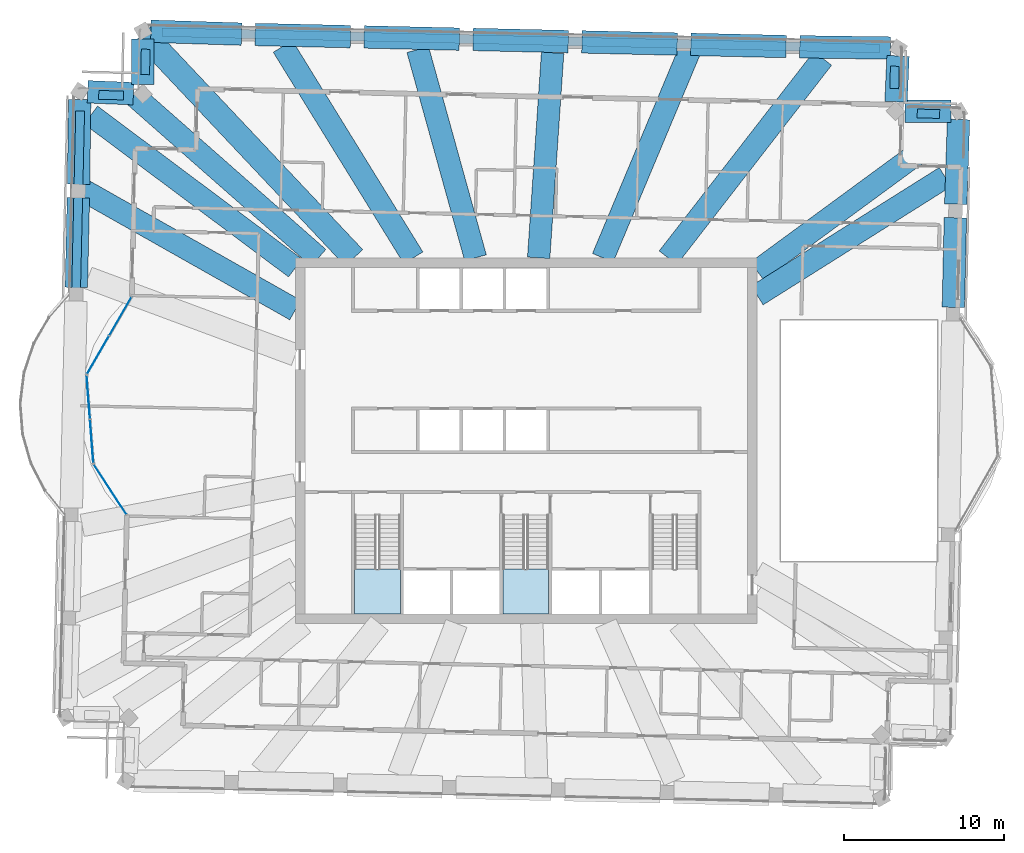
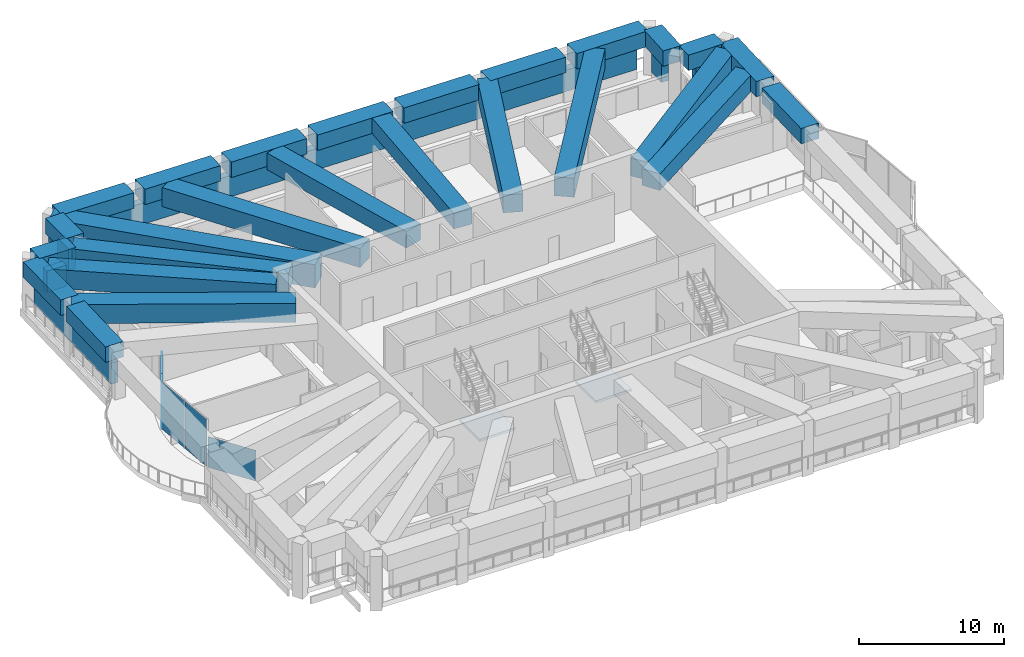
# One storey, part 5 of 17: 26 beams, 6 members, 5 plates, 2 slabs, 5 elements without a shape of their own.
"""IFC4 building model written with IfcOpenShell, lengths in metres."""

from ifc_helpers import new_model, si_unit, direction, frame, origin, origin_2d, place, context, subcontext, project, spatial, polyline, rectangle, outline, extrude, material, layer, layer_set, material_profile, profile_set, type_object, element, aggregate, save


model = new_model("IFC4")

# Units and contexts
model_context = context("Model", 3, precision=1e-05, world=origin(), true_north=direction((0.0, 1.0)))
body_context = subcontext(model_context, "Body", "Model", "MODEL_VIEW")
ifc_project = project(units=[si_unit("LENGTHUNIT", "METRE"), si_unit("AREAUNIT", "SQUARE_METRE"), si_unit("VOLUMEUNIT", "CUBIC_METRE"), si_unit("PLANEANGLEUNIT", "RADIAN"), si_unit("MASSUNIT", "GRAM", prefix="KILO")], contexts=[model_context])

# Site, building, storey
site_placement = place(None, origin())
site = spatial("IfcSite", under=ifc_project, at=site_placement, CompositionType="ELEMENT")
building_placement = place(site_placement, origin())
building = spatial("IfcBuilding", under=site, at=building_placement, Name="Mangrove Gate Tower", CompositionType="ELEMENT")
storey_placement = place(building_placement, frame((0.0, 0.0, 337.89990234375)))
storey = spatial("IfcBuildingStorey", under=building, at=storey_placement, Name="L86", CompositionType="ELEMENT", Elevation=337.89990234375)

# Members
ifc_material_1 = material(Name="Planting on aluminium trellis", Category="aluminium")
ifc_material_profile_1 = material_profile(ifc_material_1, rectangle(XDim=0.550048828125, YDim=1.800048828125, at=origin_2d()))
ifc_profile_set_1 = profile_set([ifc_material_profile_1], Name="Planting on aluminium trellis")
member_type = type_object("IfcMemberType", Name="Roof greenery screen 550x1800", PredefinedType="USERDEFINED", material=ifc_profile_set_1)
member_1_placement = place(storey_placement, frame((24.382080078125, 20.39990234375, 1.7001953125), z_axis=(0.999754810245, -0.022143156767, 0.0), x_axis=(0.022143156767, 0.999754810245, 0.0)))
element("IfcMember", 1, at=member_1_placement, inside=storey, type_object=member_type, Name="GREEN SCREEN L86 T1.1.6", ObjectType="PLANTING", PredefinedType="USERDEFINED", context=body_context, shape_type="SweptSolid", body=[
    extrude(rectangle(XDim=0.550048828125, YDim=1.800048828125, at=origin_2d()), origin(), (0.0, 0.0, 1.0), 1.400146484375),
])
member_2_placement = place(storey_placement, frame((-28.06396484375, 9.489990234375, 1.7001953125), z_axis=(0.022688316911, 0.999742587007, 0.0), x_axis=(-0.999742587007, 0.022688316911, 0.0)))
element("IfcMember", 2, at=member_2_placement, inside=storey, type_object=member_type, Name="GREEN SCREEN L86 T3.1.25", ObjectType="PLANTING", PredefinedType="USERDEFINED", context=body_context, shape_type="SweptSolid", body=[
    extrude(rectangle(XDim=0.550048828125, YDim=1.800048828125, at=origin_2d()), origin(), (0.0, 0.0, 1.0), 11.06201171875),
])
member_3_placement = place(storey_placement, frame((-26.655029296875, 21.55810546875, 1.7001953125), z_axis=(0.999738546053, -0.022865684662, 0.0), x_axis=(0.022865684662, 0.999738546053, 0.0)))
element("IfcMember", 3, at=member_3_placement, inside=storey, type_object=member_type, Name="GREEN SCREEN L86 T3.2.6", ObjectType="PLANTING", PredefinedType="USERDEFINED", context=body_context, shape_type="SweptSolid", body=[
    extrude(rectangle(XDim=0.550048828125, YDim=1.800048828125, at=origin_2d()), origin(), (0.0, 0.0, 1.0), 1.53759765625),
])
member_4_placement = place(storey_placement, frame((-23.760986328125, 22.821044921875, 1.7001953125), z_axis=(0.02260960345, 0.999744370243, 0.0), x_axis=(-0.999744370243, 0.02260960345, 0.0)))
element("IfcMember", 4, at=member_4_placement, inside=storey, type_object=member_type, Name="GREEN SCREEN L86 T3.2.9", ObjectType="PLANTING", PredefinedType="USERDEFINED", context=body_context, shape_type="SweptSolid", body=[
    extrude(rectangle(XDim=0.550048828125, YDim=1.800048828125, at=origin_2d()), origin(), (0.0, 0.0, 1.0), 1.58740234375),
])
member_5_placement = place(storey_placement, frame((-22.715087890625, 25.470947265625, 1.7001953125), z_axis=(0.999741798928, -0.022723016434, 0.0), x_axis=(0.022723016434, 0.999741798928, 0.0)))
element("IfcMember", 5, at=member_5_placement, inside=storey, type_object=member_type, Name="GREEN SCREEN L86 T3.3.6", ObjectType="PLANTING", PredefinedType="USERDEFINED", context=body_context, shape_type="SweptSolid", body=[
    extrude(rectangle(XDim=0.550048828125, YDim=1.800048828125, at=origin_2d()), origin(), (0.0, 0.0, 1.0), 44.74951171875),
])
member_6_placement = place(storey_placement, frame((22.98291015625, 23.347900390625, 1.7001953125), z_axis=(-0.022143156767, -0.999754810245, 0.0), x_axis=(0.999754810245, -0.022143156767, 0.0)))
element("IfcMember", 6, at=member_6_placement, inside=storey, type_object=member_type, Name="GREEN SCREEN L86 T3.4.6", ObjectType="PLANTING", PredefinedType="USERDEFINED", context=body_context, shape_type="SweptSolid", body=[
    extrude(rectangle(XDim=0.550048828125, YDim=1.800048828125, at=origin_2d()), origin(), (0.0, 0.0, 1.0), 1.400146484375),
])

# Beams
ifc_material_2 = material(Name="Concrete C50/60", Category="concrete")
ifc_material_profile_2 = material_profile(ifc_material_2, rectangle(XDim=1.39990234375, YDim=1.300048828125, at=origin_2d()))
ifc_profile_set_2 = profile_set([ifc_material_profile_2], Name="Concrete C50/60")
beam_type_1 = type_object("IfcBeamType", Name="Transfer girder RC 1400x1300 C50/60", PredefinedType="BEAM", material=ifc_profile_set_2)
beam_1_placement = place(storey_placement, frame((26.6337890625, 8.3115234375, 3.400146484375), z_axis=(0.022676742229, 0.999742849618, 0.0), x_axis=(-0.999742849618, 0.022676742229, 0.0)))
element("IfcBeam", 7, at=beam_1_placement, inside=storey, type_object=beam_type_1, Name="Transfer ring girder L86 16", PredefinedType="BEAM", context=body_context, shape_type="SweptSolid", body=[
    extrude(rectangle(XDim=1.39990234375, YDim=1.300048828125, at=origin_2d()), origin(), (0.0, 0.0, 1.0), 5.587646484375),
])
beam_2_placement = place(storey_placement, frame((26.7841796875, 14.747314453125, 3.400146484375), z_axis=(0.032988692106, 0.999455724979, 0.0), x_axis=(-0.999455724979, 0.032988692106, 0.0)))
element("IfcBeam", 8, at=beam_2_placement, inside=storey, type_object=beam_type_1, Name="Transfer ring girder L86 17", PredefinedType="BEAM", context=body_context, shape_type="SweptSolid", body=[
    extrude(rectangle(XDim=1.39990234375, YDim=1.300048828125, at=origin_2d()), origin(), (0.0, 0.0, 1.0), 5.2841796875),
])
beam_3_placement = place(storey_placement, frame((26.48046875, 20.53369140625, 3.400146484375), z_axis=(-0.999994153944, 0.00341936794, 0.0), x_axis=(-0.00341936794, -0.999994153944, 0.0)))
element("IfcBeam", 9, at=beam_3_placement, inside=storey, type_object=beam_type_1, Name="Transfer ring girder L86 18", PredefinedType="BEAM", context=body_context, shape_type="SweptSolid", body=[
    extrude(rectangle(XDim=1.39990234375, YDim=1.300048828125, at=origin_2d()), origin(), (0.0, 0.0, 1.0), 2.85595703125),
])
beam_4_placement = place(storey_placement, frame((23.060791015625, 21.13330078125, 3.400146484375), z_axis=(0.044307836556, 0.999017925575, 0.0), x_axis=(-0.999017925575, 0.044307836556, 0.0)))
element("IfcBeam", 10, at=beam_4_placement, inside=storey, type_object=beam_type_1, Name="Transfer ring girder L86 19", PredefinedType="BEAM", context=body_context, shape_type="SweptSolid", body=[
    extrude(rectangle(XDim=1.39990234375, YDim=1.300048828125, at=origin_2d()), origin(), (0.0, 0.0, 1.0), 2.85986328125),
])
beam_5_placement = place(storey_placement, frame((22.71337890625, 24.483642578125, 3.400146484375), z_axis=(-0.999905838505, 0.013722759339, 0.0), x_axis=(-0.013722759339, -0.999905838505, 0.0)))
element("IfcBeam", 11, at=beam_5_placement, inside=storey, type_object=beam_type_1, Name="Transfer ring girder L86 20", PredefinedType="BEAM", context=body_context, shape_type="SweptSolid", body=[
    extrude(rectangle(XDim=1.39990234375, YDim=1.300048828125, at=origin_2d()), origin(), (0.0, 0.0, 1.0), 5.657470703125),
])
beam_6_placement = place(storey_placement, frame((16.20654296875, 24.57666015625, 3.400146484375), z_axis=(-0.999742852548, 0.022676613026, 0.0), x_axis=(-0.022676613026, -0.999742852548, 0.0)))
element("IfcBeam", 12, at=beam_6_placement, inside=storey, type_object=beam_type_1, Name="Transfer ring girder L86 21", PredefinedType="BEAM", context=body_context, shape_type="SweptSolid", body=[
    extrude(rectangle(XDim=1.39990234375, YDim=1.300048828125, at=origin_2d()), origin(), (0.0, 0.0, 1.0), 5.94287109375),
])
beam_7_placement = place(storey_placement, frame((9.41552734375, 24.730712890625, 3.400146484375), z_axis=(-0.999742831422, 0.022677544399, 0.0), x_axis=(-0.022677544399, -0.999742831422, 0.0)))
element("IfcBeam", 13, at=beam_7_placement, inside=storey, type_object=beam_type_1, Name="Transfer ring girder L86 22", PredefinedType="BEAM", context=body_context, shape_type="SweptSolid", body=[
    extrude(rectangle(XDim=1.39990234375, YDim=1.300048828125, at=origin_2d()), origin(), (0.0, 0.0, 1.0), 5.942626953125),
])
beam_8_placement = place(storey_placement, frame((2.62451171875, 24.884765625, 3.400146484375), z_axis=(-0.999742852548, 0.022676613026, 0.0), x_axis=(-0.022676613026, -0.999742852548, 0.0)))
element("IfcBeam", 14, at=beam_8_placement, inside=storey, type_object=beam_type_1, Name="Transfer ring girder L86 23", PredefinedType="BEAM", context=body_context, shape_type="SweptSolid", body=[
    extrude(rectangle(XDim=1.39990234375, YDim=1.300048828125, at=origin_2d()), origin(), (0.0, 0.0, 1.0), 5.94287109375),
])
for number, where, z_axis, x_axis, name in (
    (15, (-4.16650390625, 25.038818359375, 3.400146484375), (-0.999740029609, 0.022800728023, 0.0), (-0.022800728023, -0.999740029609, 0.0), "Transfer ring girder L86 24"),
    (16, (-10.95751953125, 25.19384765625, 3.400146484375), (-0.999743761991, 0.022636482961, 0.0), (-0.022636482961, -0.999743761991, 0.0), "Transfer ring girder L86 25"),
):
    element("IfcBeam", number, at=place(storey_placement, frame(where, z_axis=z_axis, x_axis=x_axis)), inside=storey, type_object=beam_type_1, Name=name, PredefinedType="BEAM", context=body_context, shape_type="SweptSolid", body=[
        extrude(rectangle(XDim=1.39990234375, YDim=1.300048828125, at=origin_2d()), origin(), (0.0, 0.0, 1.0), 5.942626953125),
    ])
beam_9_placement = place(storey_placement, frame((-17.74853515625, 25.3515625, 3.400146484375), z_axis=(-0.999500768178, 0.031594531343, 0.0), x_axis=(-0.031594531343, -0.999500768178, 0.0)))
element("IfcBeam", 17, at=beam_9_placement, inside=storey, type_object=beam_type_1, Name="Transfer ring girder L86 26", PredefinedType="BEAM", context=body_context, shape_type="SweptSolid", body=[
    extrude(rectangle(XDim=1.39990234375, YDim=1.300048828125, at=origin_2d()), origin(), (0.0, 0.0, 1.0), 5.656494140625),
])
beam_10_placement = place(storey_placement, frame((-23.898193359375, 25.058837890625, 3.400146484375), z_axis=(-0.001195252284, -0.999999285686, 0.0), x_axis=(0.999999285686, -0.001195252284, 0.0)))
element("IfcBeam", 18, at=beam_10_placement, inside=storey, type_object=beam_type_1, Name="Transfer ring girder L86 27", PredefinedType="BEAM", context=body_context, shape_type="SweptSolid", body=[
    extrude(rectangle(XDim=1.39990234375, YDim=1.300048828125, at=origin_2d()), origin(), (0.0, 0.0, 1.0), 2.859619140625),
])
beam_11_placement = place(storey_placement, frame((-24.49169921875, 21.635498046875, 3.400146484375), z_axis=(-0.999111608486, 0.042142541323, 0.0), x_axis=(-0.042142541323, -0.999111608486, 0.0)))
element("IfcBeam", 19, at=beam_11_placement, inside=storey, type_object=beam_type_1, Name="Transfer ring girder L86 28", PredefinedType="BEAM", context=body_context, shape_type="SweptSolid", body=[
    extrude(rectangle(XDim=1.39990234375, YDim=1.300048828125, at=origin_2d()), origin(), (0.0, 0.0, 1.0), 2.85595703125),
])
beam_12_placement = place(storey_placement, frame((-27.845458984375, 21.27294921875, 3.400146484375), z_axis=(-0.01238009154, -0.99992336373, 0.0), x_axis=(0.99992336373, -0.01238009154, 0.0)))
element("IfcBeam", 20, at=beam_12_placement, inside=storey, type_object=beam_type_1, Name="Transfer ring girder L86 29", PredefinedType="BEAM", context=body_context, shape_type="SweptSolid", body=[
    extrude(rectangle(XDim=1.39990234375, YDim=1.300048828125, at=origin_2d()), origin(), (0.0, 0.0, 1.0), 5.28515625),
])
beam_13_placement = place(storey_placement, frame((-27.92578125, 15.138427734375, 3.400146484375), z_axis=(-0.022676742229, -0.999742849618, 0.0), x_axis=(0.999742849618, -0.022676742229, 0.0)))
element("IfcBeam", 21, at=beam_13_placement, inside=storey, type_object=beam_type_1, Name="Transfer ring girder L86 30", PredefinedType="BEAM", context=body_context, shape_type="SweptSolid", body=[
    extrude(rectangle(XDim=1.39990234375, YDim=1.300048828125, at=origin_2d()), origin(), (0.0, 0.0, 1.0), 5.587646484375),
])
beam_14_placement = place(storey_placement, frame((0.77685546875, 11.39990234375, 3.400146484375), z_axis=(0.068000619453, 0.99768527891, 0.0), x_axis=(-0.99768527891, 0.068000619453, 0.0)))
element("IfcBeam", 22, at=beam_14_placement, inside=storey, type_object=beam_type_1, Name="Transfer girder L86 22", PredefinedType="BEAM", context=body_context, shape_type="SweptSolid", body=[
    extrude(rectangle(XDim=1.39990234375, YDim=1.300048828125, at=origin_2d()), origin(), (0.0, 0.0, 1.0), 12.8173828125),
])
ifc_material_3 = material(Name="Concrete C50/60", Category="concrete")
ifc_material_profile_3 = material_profile(ifc_material_3, rectangle(XDim=1.39990234375, YDim=1.39990234375, at=origin_2d()))
ifc_profile_set_3 = profile_set([ifc_material_profile_3], Name="Concrete C50/60")
beam_type_2 = type_object("IfcBeamType", Name="Transfer girder RC 1400x1400 C50/60", PredefinedType="BEAM", material=ifc_profile_set_3)
beam_15_placement = place(storey_placement, frame((14.39990234375, 9.060546875, 3.35009765625), z_axis=(0.846401698395, 0.532544988667, 0.0), x_axis=(-0.532544988667, 0.846401698395, 0.0)))
element("IfcBeam", 23, at=beam_15_placement, inside=storey, type_object=beam_type_2, Name="Transfer girder L86 17", PredefinedType="BEAM", context=body_context, shape_type="SweptSolid", body=[
    extrude(rectangle(XDim=1.39990234375, YDim=1.39990234375, at=origin_2d()), origin(), (0.0, 0.0, 1.0), 13.85546875),
])
beam_16_placement = place(storey_placement, frame((-3.1611328125, 11.39990234375, 3.35009765625), z_axis=(-0.267203858483, 0.963640025119, 0.0), x_axis=(-0.963640025119, -0.267203858483, 0.0)))
element("IfcBeam", 24, at=beam_16_placement, inside=storey, type_object=beam_type_2, Name="Transfer girder L86 23", PredefinedType="BEAM", context=body_context, shape_type="SweptSolid", body=[
    extrude(rectangle(XDim=1.39990234375, YDim=1.39990234375, at=origin_2d()), origin(), (0.0, 0.0, 1.0), 13.479736328125),
])
ifc_material_4 = material(Name="Concrete C50/60", Category="concrete")
ifc_material_profile_4 = material_profile(ifc_material_4, rectangle(XDim=1.39990234375, YDim=1.5, at=origin_2d()))
ifc_profile_set_4 = profile_set([ifc_material_profile_4], Name="Concrete C50/60")
beam_type_3 = type_object("IfcBeamType", Name="Transfer girder RC 1400x1500 C50/60", PredefinedType="BEAM", material=ifc_profile_set_4)
beam_17_placement = place(storey_placement, frame((14.39990234375, 10.56982421875, 3.300048828125), z_axis=(0.806142993198, 0.591720774113, 0.0), x_axis=(-0.591720774113, 0.806142993198, 0.0)))
element("IfcBeam", 25, at=beam_17_placement, inside=storey, type_object=beam_type_3, Name="Transfer girder L86 18", PredefinedType="BEAM", context=body_context, shape_type="SweptSolid", body=[
    extrude(rectangle(XDim=1.39990234375, YDim=1.5, at=origin_2d()), origin(), (0.0, 0.0, 1.0), 14.66845703125),
])
beam_18_placement = place(storey_placement, frame((4.777587890625, 11.39990234375, 3.300048828125), z_axis=(0.386525329207, 0.922278791842, 0.0), x_axis=(-0.922278791842, 0.386525329207, 0.0)))
element("IfcBeam", 26, at=beam_18_placement, inside=storey, type_object=beam_type_3, Name="Transfer girder L86 21", PredefinedType="BEAM", context=body_context, shape_type="SweptSolid", body=[
    extrude(rectangle(XDim=1.39990234375, YDim=1.5, at=origin_2d()), origin(), (0.0, 0.0, 1.0), 14.171142578125),
])
ifc_material_5 = material(Name="Concrete C50/60", Category="concrete")
ifc_material_profile_5 = material_profile(ifc_material_5, rectangle(XDim=1.39990234375, YDim=1.60009765625, at=origin_2d()))
ifc_profile_set_5 = profile_set([ifc_material_profile_5], Name="Concrete C50/60")
beam_type_4 = type_object("IfcBeamType", Name="Transfer girder RC 1400x1600 C50/60", PredefinedType="BEAM", material=ifc_profile_set_5)
beam_19_placement = place(storey_placement, frame((8.84228515625, 11.39990234375, 3.25), z_axis=(0.612888936143, 0.790169065424, 0.0), x_axis=(-0.790169065424, 0.612888936143, 0.0)))
element("IfcBeam", 27, at=beam_19_placement, inside=storey, type_object=beam_type_4, Name="Transfer girder L86 20", PredefinedType="BEAM", context=body_context, shape_type="SweptSolid", body=[
    extrude(rectangle(XDim=1.39990234375, YDim=1.60009765625, at=origin_2d()), origin(), (0.0, 0.0, 1.0), 15.7421875),
])
beam_20_placement = place(storey_placement, frame((-7.03759765625, 11.39990234375, 3.25), z_axis=(-0.525298641518, 0.850917938006, 0.0), x_axis=(-0.850917938006, -0.525298641518, 0.0)))
element("IfcBeam", 28, at=beam_20_placement, inside=storey, type_object=beam_type_4, Name="Transfer girder L86 24", PredefinedType="BEAM", context=body_context, shape_type="SweptSolid", body=[
    extrude(rectangle(XDim=1.39990234375, YDim=1.60009765625, at=origin_2d()), origin(), (0.0, 0.0, 1.0), 15.494873046875),
])
beam_21_placement = place(storey_placement, frame((-12.952880859375, 11.39990234375, 3.25), z_axis=(-0.750667160445, 0.660680568981, 0.0), x_axis=(-0.660680568981, -0.750667160445, 0.0)))
element("IfcBeam", 29, at=beam_21_placement, inside=storey, type_object=beam_type_4, Name="Transfer girder L86 26", PredefinedType="BEAM", context=body_context, shape_type="SweptSolid", body=[
    extrude(rectangle(XDim=1.39990234375, YDim=1.60009765625, at=origin_2d()), origin(), (0.0, 0.0, 1.0), 15.358642578125),
])
beam_22_placement = place(storey_placement, frame((-14.39990234375, 10.76904296875, 3.25), z_axis=(-0.800829376335, 0.598892569664, 0.0), x_axis=(-0.598892569664, -0.800829376335, 0.0)))
element("IfcBeam", 30, at=beam_22_placement, inside=storey, type_object=beam_type_4, Name="Transfer girder L86 27", PredefinedType="BEAM", context=body_context, shape_type="SweptSolid", body=[
    extrude(rectangle(XDim=1.39990234375, YDim=1.60009765625, at=origin_2d()), origin(), (0.0, 0.0, 1.0), 15.91650390625),
])
beam_23_placement = place(storey_placement, frame((-14.39990234375, 8.1435546875, 3.25), z_axis=(-0.870450638694, 0.492255711594, 0.0), x_axis=(-0.492255711594, -0.870450638694, 0.0)))
element("IfcBeam", 31, at=beam_23_placement, inside=storey, type_object=beam_type_4, Name="Transfer girder L86 28", PredefinedType="BEAM", context=body_context, shape_type="SweptSolid", body=[
    extrude(rectangle(XDim=1.39990234375, YDim=1.60009765625, at=origin_2d()), origin(), (0.0, 0.0, 1.0), 15.524658203125),
])
ifc_material_6 = material(Name="Concrete C50/60", Category="concrete")
ifc_material_profile_6 = material_profile(ifc_material_6, rectangle(XDim=1.5, YDim=1.949951171875, at=origin_2d()))
ifc_profile_set_6 = profile_set([ifc_material_profile_6], Name="Concrete C50/60")
beam_type_5 = type_object("IfcBeamType", Name="Transfer girder RC 1500x1950 C50/60", PredefinedType="BEAM", material=ifc_profile_set_6)
beam_24_placement = place(storey_placement, frame((-10.738037109375, 11.39990234375, 3.0751953125), z_axis=(-0.68564992607, 0.72793143831, 0.0), x_axis=(-0.72793143831, -0.68564992607, 0.0)))
element("IfcBeam", 32, at=beam_24_placement, inside=storey, type_object=beam_type_5, Name="Transfer girder L86 25", PredefinedType="BEAM", context=body_context, shape_type="SweptSolid", body=[
    extrude(rectangle(XDim=1.5, YDim=1.949951171875, at=origin_2d()), origin(), (0.0, 0.0, 1.0), 19.193359375),
])

# Stair, slab
ifc_material_7 = material(Name="Concrete C40/50", Category="concrete")
stair_type = type_object("IfcStairType", Name="Core stair 1350", PredefinedType="HALF_TURN_STAIR", material=ifc_material_7)
stair_1_placement = place(storey_placement, origin())
stair_1 = element("IfcStair", 33, at=stair_1_placement, inside=storey, type_object=stair_type, Name="L86 Stair 1", PredefinedType="HALF_TURN_STAIR")
ifc_material_8 = material(Name="Concrete C40/50", Category="concrete")
ifc_layer_1 = layer(ifc_material_8, 0.199951171875)
ifc_layer_set_1 = layer_set([ifc_layer_1], Name="Core stair landing 200")
slab_type = type_object("IfcSlabType", Name="Core stair landing 200", PredefinedType="LANDING", material=ifc_layer_set_1)
slab_1_placement = place(storey_placement, frame((0.0, 0.0, 2.10009765625)))
slab_1 = element("IfcSlab", 34, at=slab_1_placement, type_object=slab_type, Name="ST1 landing 1", PredefinedType="LANDING", context=body_context, shape_type="SweptSolid", body=[
    extrude(outline(polyline([(-10.699951171875, -8.010009765625), (-10.699951171875, -10.800048828125), (-7.85009765625, -10.800048828125), (-7.85009765625, -8.010009765625), (-10.699951171875, -8.010009765625)])), origin(), (0.0, 0.0, 1.0), 0.199951171875),
])
aggregate(stair_1, [slab_1])

stair_2_placement = place(storey_placement, origin())
stair_2 = element("IfcStair", 35, at=stair_2_placement, inside=storey, type_object=stair_type, Name="L86 Stair 2", PredefinedType="HALF_TURN_STAIR")
slab_2_placement = place(storey_placement, frame((0.0, 0.0, 2.10009765625)))
slab_2 = element("IfcSlab", 36, at=slab_2_placement, type_object=slab_type, Name="ST2 landing 1", PredefinedType="LANDING", context=body_context, shape_type="SweptSolid", body=[
    extrude(outline(polyline([(-1.449951171875, -8.010009765625), (-1.449951171875, -10.800048828125), (1.39990234375, -10.800048828125), (1.39990234375, -8.010009765625), (-1.449951171875, -8.010009765625)])), origin(), (0.0, 0.0, 1.0), 0.199951171875),
])
aggregate(stair_2, [slab_2])

# Curtain wall, plates
ifc_material_9 = material(Name="Aluminium and glass curtain wall", Category="aluminium")
curtain_wall_type = type_object("IfcCurtainWallType", Name="Crown garden glazing wall", PredefinedType="NOTDEFINED", material=ifc_material_9)
curtain_wall_1_placement = place(storey_placement, origin())
curtain_wall_1 = element("IfcCurtainWall", 37, at=curtain_wall_1_placement, inside=storey, type_object=curtain_wall_type, Name="Crown garden glazing W9f1", PredefinedType="NOTDEFINED")
ifc_material_10 = material(Name="Laminated low-e glass", Category="glass")
ifc_layer_2 = layer(ifc_material_10, 0.02587890625)
ifc_layer_set_2 = layer_set([ifc_layer_2], Name="Crown garden glazing panel 26")
plate_type = type_object("IfcPlateType", Name="Crown garden glazing panel 26", PredefinedType="CURTAIN_PANEL", material=ifc_layer_set_2)
plate_1_placement = place(storey_placement, frame((-25.302490234375, 7.760009765625, 0.0), z_axis=(0.0, 0.0, 1.0), x_axis=(-0.500418160284, -0.865783844189, 0.0)))
plate_1 = element("IfcPlate", 38, at=plate_1_placement, type_object=plate_type, Name="CWC panel 1.1", PredefinedType="CURTAIN_PANEL", context=body_context, shape_type="SweptSolid", body=[
    extrude(rectangle(XDim=2.73095703125, YDim=0.02587890625, at=origin_2d()), origin(), (0.0, 0.0, 1.0), 2.590087890625),
])
plate_2_placement = place(storey_placement, frame((-26.69921875, 5.34375, 0.0), z_axis=(0.0, 0.0, 1.0), x_axis=(-0.500418160284, -0.865783844189, 0.0)))
plate_2 = element("IfcPlate", 39, at=plate_2_placement, type_object=plate_type, Name="CWC panel 2.1", PredefinedType="CURTAIN_PANEL", context=body_context, shape_type="SweptSolid", body=[
    extrude(rectangle(XDim=2.73095703125, YDim=0.02587890625, at=origin_2d()), origin(), (0.0, 0.0, 1.0), 2.590087890625),
])
aggregate(curtain_wall_1, [plate_1, plate_2])

curtain_wall_2_placement = place(storey_placement, origin())
curtain_wall_2 = element("IfcCurtainWall", 40, at=curtain_wall_2_placement, inside=storey, type_object=curtain_wall_type, Name="Crown garden glazing W9f2", PredefinedType="NOTDEFINED")
plate_3_placement = place(storey_placement, frame((-27.303955078125, 2.705322265625, 0.0), z_axis=(0.0, 0.0, 1.0), x_axis=(0.077023348229, -0.997029289353, 0.0)))
plate_3 = element("IfcPlate", 41, at=plate_3_placement, type_object=plate_type, Name="CWC panel 1.1", PredefinedType="CURTAIN_PANEL", context=body_context, shape_type="SweptSolid", body=[
    extrude(rectangle(XDim=2.69677734375, YDim=0.02587890625, at=origin_2d()), origin(), (0.0, 0.0, 1.0), 3.989990234375),
])
plate_4_placement = place(storey_placement, frame((-27.091796875, -0.043212890625, 0.0), z_axis=(0.0, 0.0, 1.0), x_axis=(0.077023348229, -0.997029289353, 0.0)))
plate_4 = element("IfcPlate", 42, at=plate_4_placement, type_object=plate_type, Name="CWC panel 2.1", PredefinedType="CURTAIN_PANEL", context=body_context, shape_type="SweptSolid", body=[
    extrude(rectangle(XDim=2.69677734375, YDim=0.02587890625, at=origin_2d()), origin(), (0.0, 0.0, 1.0), 3.989990234375),
])
aggregate(curtain_wall_2, [plate_3, plate_4])

# Curtain wall, plate
curtain_wall_3_placement = place(storey_placement, origin())
curtain_wall_3 = element("IfcCurtainWall", 43, at=curtain_wall_3_placement, inside=storey, type_object=curtain_wall_type, Name="Crown garden glazing W9f3", PredefinedType="NOTDEFINED")
plate_5_placement = place(storey_placement, frame((-25.94091796875, -3.04541015625, 0.0), z_axis=(0.0, 0.0, 1.0), x_axis=(0.546235085045, -0.837631919083, 0.0)))
plate_5 = element("IfcPlate", 44, at=plate_5_placement, type_object=plate_type, Name="CWC panel 1.1", PredefinedType="CURTAIN_PANEL", context=body_context, shape_type="SweptSolid", body=[
    extrude(rectangle(XDim=3.696044921875, YDim=0.02587890625, at=origin_2d()), origin(), (0.0, 0.0, 1.0), 2.590087890625),
])
aggregate(curtain_wall_3, [plate_5])

save(model, "model.ifc")
